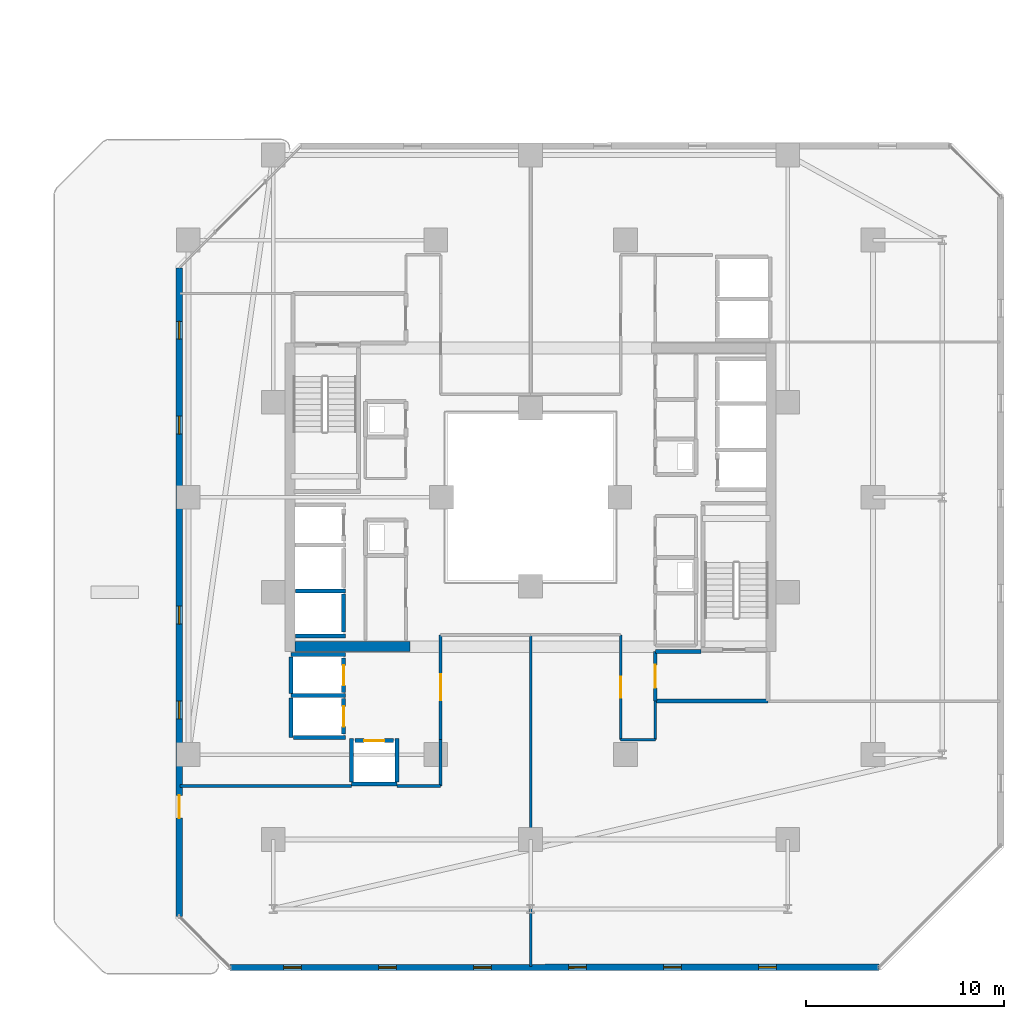
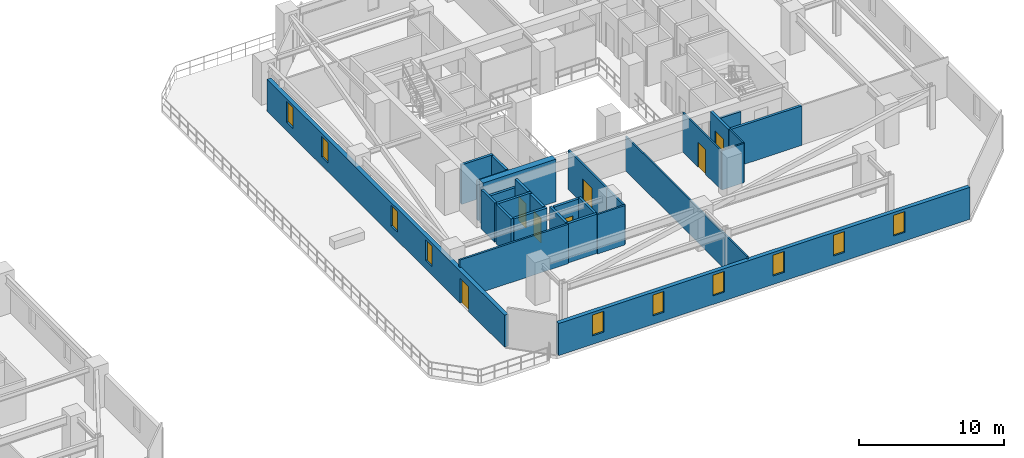
# One storey, part 22 of 31: 28 walls, 10 windows, 7 doors, 17 openings.
"""IFC4 building model written with IfcOpenShell, lengths in metres."""

import ifcopenshell
import ifcopenshell.guid

model = None  # the IFC model being written
_history = None  # IfcOwnerHistory: only IFC2X3 demands one
_inside = {}  # id of a spatial element -> (the spatial element, [elements in it])
_under = {}  # id of a project, library or spatial element -> (it, [spatial elements below it])
_declared = {}  # id of a project -> (the project, [libraries it declares])
_typed = {}  # id of a type object -> (the type object, [elements of that type])
_made_of = {}  # id of a material, layer set ... -> (it, [elements and type objects made of it])


def new_model(schema):
    """Start an empty IFC model of exactly this schema.

    Asked for "IFC4X3", IfcOpenShell would pick the latest addendum, in which some entities
    have other attributes; the version numbers below select the first issue.
    IFC2X3 requires an IfcOwnerHistory on every rooted entity: one is made here for all.
    """
    global model, _history
    if schema == "IFC4X3":
        model = ifcopenshell.file(schema_version=(4, 3, 0, 0))
    else:
        model = ifcopenshell.file(schema=schema)
    _inside.clear()
    _under.clear()
    _declared.clear()
    _typed.clear()
    _made_of.clear()
    _history = None
    if model.schema == "IFC2X3":
        org = make("IfcOrganization", Name="unknown")
        user = make(
            "IfcPersonAndOrganization",
            ThePerson=make("IfcPerson", FamilyName="unknown"),
            TheOrganization=org,
        )
        app = make(
            "IfcApplication",
            ApplicationDeveloper=org,
            Version="unknown",
            ApplicationFullName="unknown",
            ApplicationIdentifier="unknown",
        )
        _history = make(
            "IfcOwnerHistory",
            OwningUser=user,
            OwningApplication=app,
            ChangeAction="ADDED",
            CreationDate=0,
        )
    return model


def make(cls, **values):
    """One entity of the class cls with the attributes given. An attribute that is None is left unset."""
    return model.create_entity(
        cls, **{name: value for name, value in values.items() if value is not None}
    )


def rooted(cls, **values):
    """An entity with a GlobalId (a new one), such as an element, a storey or a relation."""
    return make(cls, GlobalId=ifcopenshell.guid.new(), OwnerHistory=_history, **values)


def si_unit(unit_type, name, prefix=None):
    """IfcSIUnit, for example si_unit("LENGTHUNIT", "METRE", prefix="MILLI")."""
    return make("IfcSIUnit", UnitType=unit_type, Prefix=prefix, Name=name)


def assignment(units):
    """IfcUnitAssignment: the units of a project."""
    return None if units is None else make("IfcUnitAssignment", Units=units)


def point(xyz):
    """IfcCartesianPoint."""
    return None if xyz is None else make("IfcCartesianPoint", Coordinates=xyz)


def direction(xyz):
    """IfcDirection."""
    return None if xyz is None else make("IfcDirection", DirectionRatios=xyz)


def frame(location, z_axis=None, x_axis=None):
    """IfcAxis2Placement3D, a coordinate frame: its origin and axes. An axis left out is left unset."""
    return make(
        "IfcAxis2Placement3D",
        Location=point(location),
        Axis=direction(z_axis),
        RefDirection=direction(x_axis),
    )


def frame_2d(location, x_axis=None):
    """IfcAxis2Placement2D, a coordinate frame in the plane: its origin and x axis."""
    return make(
        "IfcAxis2Placement2D", Location=point(location), RefDirection=direction(x_axis)
    )


def origin():
    """The frame at (0, 0, 0) with its axes left unset."""
    return frame((0.0, 0.0, 0.0))


def place(relative_to, where):
    """IfcLocalPlacement: puts the frame where relative to a parent placement (None: the world)."""
    return make(
        "IfcLocalPlacement", PlacementRelTo=relative_to, RelativePlacement=where
    )


def context(
    kind, dimensions, precision=None, world=None, true_north=None, identifier=None
):
    """IfcGeometricRepresentationContext, for example the 3D "Model" context."""
    return make(
        "IfcGeometricRepresentationContext",
        ContextIdentifier=identifier,
        ContextType=kind,
        CoordinateSpaceDimension=dimensions,
        Precision=precision,
        WorldCoordinateSystem=world,
        TrueNorth=true_north,
    )


def subcontext(parent, identifier, kind, view, scale=None):
    """IfcGeometricRepresentationSubContext, for example "Body" below "Model"."""
    return make(
        "IfcGeometricRepresentationSubContext",
        ContextIdentifier=identifier,
        ContextType=kind,
        ParentContext=parent,
        TargetScale=scale,
        TargetView=view,
    )


def project(units=None, contexts=None):
    """IfcProject with its units and contexts."""
    return rooted(
        "IfcProject",
        Name="project",
        RepresentationContexts=contexts,
        UnitsInContext=assignment(units),
    )


def spatial(cls, under=None, at=None, **own):
    """A site, building, storey or space (cls), placed at a placement, below another one or the project."""
    s = rooted(cls, ObjectPlacement=at, **own)
    if under is not None:
        _under.setdefault(under.id(), (under, []))[1].append(s)
    return s


def profile(cls, at=None, kind="AREA", **sizes):
    """A parametric profile (cls). Its sizes go by their IFC names, for example OverallWidth=200.0."""
    return make(cls, ProfileType=kind, Position=at, **sizes)


def rectangle(**sizes):
    """IfcRectangleProfileDef."""
    return profile("IfcRectangleProfileDef", **sizes)


def extrude(swept, where, along, depth):
    """IfcExtrudedAreaSolid: the profile swept, set in the frame where, extruded along a direction by depth."""
    return make(
        "IfcExtrudedAreaSolid",
        SweptArea=swept,
        Position=where,
        ExtrudedDirection=direction(along),
        Depth=depth,
    )


def shape(context_of_items, identifier, shape_type, items):
    """IfcShapeRepresentation: the items that make up one representation, for example the "Body"."""
    return make(
        "IfcShapeRepresentation",
        ContextOfItems=context_of_items,
        RepresentationIdentifier=identifier,
        RepresentationType=shape_type,
        Items=items,
    )


def material(Name=None, Category=None):
    """IfcMaterial."""
    return make("IfcMaterial", Name=Name, Category=Category)


def layer(
    of_material, thickness, ventilated=None, Name=None, Category=None, Priority=None
):
    """IfcMaterialLayer: one layer of a wall or slab, of a material (None: an air gap)."""
    return make(
        "IfcMaterialLayer",
        Material=of_material,
        LayerThickness=thickness,
        IsVentilated=ventilated,
        Name=Name,
        Category=Category,
        Priority=Priority,
    )


def layer_set(layers, Name=None):
    """IfcMaterialLayerSet."""
    return make("IfcMaterialLayerSet", MaterialLayers=layers, LayerSetName=Name)


def made_of(thing, what):
    """Note that an element or type object is made of a material, layer set ...; save() writes the relation."""
    if what is not None:
        _made_of.setdefault(what.id(), (what, []))[1].append(thing)
    return thing


def type_object(cls, material=None, **own):
    """A type object (cls), such as IfcWallType, which elements share."""
    return made_of(rooted(cls, **own), material)


def element(
    cls,
    number,
    at=None,
    inside=None,
    cuts=None,
    type_object=None,
    material=None,
    context=None,
    identifier="Body",
    shape_type=None,
    held_by="IfcProductDefinitionShape",
    body=None,
    shapes=None,
    **own,
):
    """One element of the class cls, such as IfcWall. Its Tag is "e" and its number.

    at: its placement. inside: the storey or other place that contains it. cuts: it is an
    opening in that element (IfcRelVoidsElement). A single representation is given by context,
    identifier, shape_type and body (its items); several are given by shapes. held_by: the class
    of the entity that holds the representations. save() writes the other relations.
    """
    e = rooted(cls, Tag="e%d" % number, ObjectPlacement=at, **own)
    if body is not None:
        shapes = [shape(context, identifier, shape_type, body)]
    if shapes is not None:
        e.Representation = make(held_by, Representations=shapes)
    if inside is not None:
        _inside.setdefault(inside.id(), (inside, []))[1].append(e)
    if cuts is not None:
        rooted(
            "IfcRelVoidsElement", RelatingBuildingElement=cuts, RelatedOpeningElement=e
        )
    if type_object is not None:
        _typed.setdefault(type_object.id(), (type_object, []))[1].append(e)
    return made_of(e, material)


def fill(opening, filler):
    """IfcRelFillsElement: the door or window that sits in an opening."""
    return rooted(
        "IfcRelFillsElement",
        RelatingOpeningElement=opening,
        RelatedBuildingElement=filler,
    )


def aggregate(whole, parts):
    """IfcRelAggregates: a whole, such as a stair, and the parts it consists of."""
    return rooted("IfcRelAggregates", RelatingObject=whole, RelatedObjects=parts)


def save(model, path):
    """Write the relations noted so far, then the file.

    IfcRelAggregates (storeys below a building ...), IfcRelContainedInSpatialStructure (elements
    in a storey), IfcRelDefinesByType, IfcRelAssociatesMaterial and IfcRelDeclares: one each for
    every whole, place, type object, material and project.
    """
    for whole, parts in _under.values():
        aggregate(whole, parts)
    for where, things in _inside.values():
        rooted(
            "IfcRelContainedInSpatialStructure",
            RelatedElements=things,
            RelatingStructure=where,
        )
    for kind, things in _typed.values():
        rooted("IfcRelDefinesByType", RelatedObjects=things, RelatingType=kind)
    for what, things in _made_of.values():
        rooted("IfcRelAssociatesMaterial", RelatedObjects=things, RelatingMaterial=what)
    for by, libraries in _declared.values():
        rooted("IfcRelDeclares", RelatingContext=by, RelatedDefinitions=libraries)
    model.write(path)


model = new_model("IFC4")

# Units and contexts
model_context = context("Model", 3, precision=1e-05, world=origin(), true_north=direction((0.0, 1.0)))
body_context = subcontext(model_context, "Body", "Model", "MODEL_VIEW")
ifc_project = project(units=[si_unit("LENGTHUNIT", "METRE"), si_unit("AREAUNIT", "SQUARE_METRE"), si_unit("VOLUMEUNIT", "CUBIC_METRE"), si_unit("PLANEANGLEUNIT", "RADIAN"), si_unit("MASSUNIT", "GRAM", prefix="KILO")], contexts=[model_context])

# Site, building, storey
site_placement = place(None, origin())
site = spatial("IfcSite", under=ifc_project, at=site_placement, CompositionType="ELEMENT")
building_placement = place(site_placement, origin())
building = spatial("IfcBuilding", under=site, at=building_placement, Name="Thornwick Lancets Civic Towers", CompositionType="ELEMENT")
storey_placement = place(building_placement, frame((0.0, 0.0, 119.699951171875)))
storey = spatial("IfcBuildingStorey", under=building, at=storey_placement, Name="L31", CompositionType="ELEMENT", Elevation=119.699951171875)

# Wall
ifc_material_1 = material(Name="Concrete blockwork C40/50", Category="masonry")
ifc_layer_1 = layer(ifc_material_1, 0.199951171875, Name="Concrete blockwork C40/50")
ifc_layer_set_1 = layer_set([ifc_layer_1], Name="Concrete blockwork C40/50")
wall_type_1 = type_object("IfcWallType", Name="WALL_COMP_200", PredefinedType="STANDARD", material=ifc_layer_set_1)
wall_1_placement = place(storey_placement, frame((79.050048828125, 20.179931640625, 0.0), z_axis=(0.0, 0.0, 1.0), x_axis=(0.0, 1.0, 0.0)))
element("IfcWall", 1, at=wall_1_placement, inside=storey, type_object=wall_type_1, Name="L31 Hoistway Front Wall PL-BH3", PredefinedType="STANDARD", context=body_context, shape_type="SweptSolid", body=[
    extrude(rectangle(XDim=1.940185546875, YDim=0.199951171875, at=frame_2d((0.97021484375, 0.0))), origin(), (0.0, 0.0, 1.0), 3.320068359375),
])

# Wall, opening, door
wall_2_placement = place(storey_placement, frame((79.050048828125, 17.1298828125, 0.0), z_axis=(0.0, 0.0, 1.0), x_axis=(0.0, 1.0, 0.0)))
wall_2 = element("IfcWall", 2, at=wall_2_placement, inside=storey, type_object=wall_type_1, Name="L31 Hoistway Front Wall PL-BM1", PredefinedType="STANDARD", context=body_context, shape_type="SweptSolid", body=[
    extrude(rectangle(XDim=1.740234375, YDim=0.199951171875, at=frame_2d((0.8701171875, 0.0))), origin(), (0.0, 0.0, 1.0), 3.320068359375),
])
opening_1_placement = place(wall_2_placement, frame((0.360107421875, 0.0, 0.0)))
opening_1 = element("IfcOpeningElement", 3, at=opening_1_placement, cuts=wall_2, Name="Opening LD-PL-BM1", PredefinedType="OPENING", context=body_context, shape_type="SweptSolid", body=[
    extrude(rectangle(XDim=1.02001953125, YDim=2.06005859375, at=frame_2d((0.510009765625, 1.030029296875))), frame((0.0, 0.10986328125, 0.0), z_axis=(0.0, -1.0, 0.0), x_axis=(1.0, 0.0, 0.0)), (0.0, 0.0, 1.0), 0.219970703125),
])
ifc_material_2 = material(Name="Brushed bronze stainless steel", Category="steel")
door_type_1 = type_object("IfcDoorType", Name="DOOR_LIFT_SLIDE", OperationType="SLIDING_TO_LEFT", PredefinedType="DOOR", material=ifc_material_2)
door_1_placement = place(opening_1_placement, origin())
door_1 = element("IfcDoor", 4, at=door_1_placement, inside=storey, type_object=door_type_1, Name="L31 Sliding Lift Landing Door LD-PL-BM1", OperationType="SLIDING_TO_LEFT", OverallHeight=2.06005859375, OverallWidth=1.02001953125, PredefinedType="DOOR", context=body_context, shape_type="SweptSolid", body=[
    extrude(rectangle(XDim=1.02001953125, YDim=2.06005859375, at=frame_2d((0.510009765625, 1.030029296875))), frame((0.0, 0.02490234375, 0.0), z_axis=(0.0, -1.0, 0.0), x_axis=(1.0, 0.0, 0.0)), (0.0, 0.0, 1.0), 0.050048828125),
])
fill(opening_1, door_1)

wall_3_placement = place(storey_placement, frame((79.050048828125, 15.030029296875, 0.0), z_axis=(0.0, 0.0, 1.0), x_axis=(0.0, 1.0, 0.0)))
wall_3 = element("IfcWall", 5, at=wall_3_placement, inside=storey, type_object=wall_type_1, Name="L31 Hoistway Front Wall PL-BM2", PredefinedType="STANDARD", context=body_context, shape_type="SweptSolid", body=[
    extrude(rectangle(XDim=1.7900390625, YDim=0.199951171875, at=frame_2d((0.89501953125, 0.0))), origin(), (0.0, 0.0, 1.0), 3.320068359375),
])
opening_2_placement = place(wall_3_placement, frame((0.385009765625, 0.0, 0.0)))
opening_2 = element("IfcOpeningElement", 6, at=opening_2_placement, cuts=wall_3, Name="Opening LD-PL-BM2", PredefinedType="OPENING", context=body_context, shape_type="SweptSolid", body=[
    extrude(rectangle(XDim=1.02001953125, YDim=2.06005859375, at=frame_2d((0.510009765625, 1.030029296875))), frame((0.0, 0.10986328125, 0.0), z_axis=(0.0, -1.0, 0.0), x_axis=(1.0, 0.0, 0.0)), (0.0, 0.0, 1.0), 0.219970703125),
])
door_2_placement = place(opening_2_placement, origin())
door_2 = element("IfcDoor", 7, at=door_2_placement, inside=storey, type_object=door_type_1, Name="L31 Sliding Lift Landing Door LD-PL-BM2", OperationType="SLIDING_TO_LEFT", OverallHeight=2.06005859375, OverallWidth=1.02001953125, PredefinedType="DOOR", context=body_context, shape_type="SweptSolid", body=[
    extrude(rectangle(XDim=1.02001953125, YDim=2.06005859375, at=frame_2d((0.510009765625, 1.030029296875))), frame((0.0, 0.02490234375, 0.0), z_axis=(0.0, -1.0, 0.0), x_axis=(1.0, 0.0, 0.0)), (0.0, 0.0, 1.0), 0.050048828125),
])
fill(opening_2, door_2)

wall_4_placement = place(storey_placement, frame((79.6298828125, 14.699951171875, 0.0), z_axis=(0.0, 0.0, 1.0), x_axis=(1.0, 0.0, 0.0)))
wall_4 = element("IfcWall", 8, at=wall_4_placement, inside=storey, type_object=wall_type_1, Name="L31 Hoistway Front Wall PL-BM3", PredefinedType="STANDARD", context=body_context, shape_type="SweptSolid", body=[
    extrude(rectangle(XDim=1.940185546875, YDim=0.199951171875, at=frame_2d((0.97021484375, 0.0))), origin(), (0.0, 0.0, 1.0), 3.320068359375),
])
opening_3_placement = place(wall_4_placement, frame((0.4599609375, 0.0, 0.0)))
opening_3 = element("IfcOpeningElement", 9, at=opening_3_placement, cuts=wall_4, Name="Opening LD-PL-BM3", PredefinedType="OPENING", context=body_context, shape_type="SweptSolid", body=[
    extrude(rectangle(XDim=1.02001953125, YDim=2.06005859375, at=frame_2d((0.510009765625, 1.030029296875))), frame((0.0, 0.10986328125, 0.0), z_axis=(0.0, -1.0, 0.0), x_axis=(1.0, 0.0, 0.0)), (0.0, 0.0, 1.0), 0.219970703125),
])
door_3_placement = place(opening_3_placement, origin())
door_3 = element("IfcDoor", 10, at=door_3_placement, inside=storey, type_object=door_type_1, Name="L31 Sliding Lift Landing Door LD-PL-BM3", OperationType="SLIDING_TO_LEFT", OverallHeight=2.06005859375, OverallWidth=1.02001953125, PredefinedType="DOOR", context=body_context, shape_type="SweptSolid", body=[
    extrude(rectangle(XDim=1.02001953125, YDim=2.06005859375, at=frame_2d((0.510009765625, 1.030029296875))), frame((0.0, 0.02490234375, 0.0), z_axis=(0.0, -1.0, 0.0), x_axis=(1.0, 0.0, 0.0)), (0.0, 0.0, 1.0), 0.050048828125),
])
fill(opening_3, door_3)

# Walls
for number, where, z_axis, x_axis, name in (
    (11, (76.612060546875, 22.27490234375, 0.0), (0.0, 0.0, 1.0), (1.0, 0.0, 0.0), "L31 Hoistway Shaft Wall PL-BH2 S"),
    (12, (76.612060546875, 20.0, 0.0), (0.0, 0.0, 1.0), (1.0, 0.0, 0.0), "L31 Hoistway Shaft Wall PL-BH3 S"),
):
    element("IfcWall", number, at=place(storey_placement, frame(where, z_axis=z_axis, x_axis=x_axis)), inside=storey, type_object=wall_type_1, Name=name, PredefinedType="STANDARD", context=body_context, shape_type="SweptSolid", body=[
        extrude(rectangle(XDim=2.535888671875, YDim=0.199951171875, at=frame_2d((1.26806640625, 0.0))), origin(), (0.0, 0.0, 1.0), 3.320068359375),
    ])
wall_5_placement = place(storey_placement, frame((76.402099609375, 19.050048828125, 0.0), z_axis=(0.0, 0.0, 1.0), x_axis=(1.0, 0.0, 0.0)))
element("IfcWall", 13, at=wall_5_placement, inside=storey, type_object=wall_type_1, Name="L31 Hoistway Shaft Wall PL-BM1 N", PredefinedType="STANDARD", context=body_context, shape_type="SweptSolid", body=[
    extrude(rectangle(XDim=2.745849609375, YDim=0.199951171875, at=frame_2d((1.373046875, 0.0))), origin(), (0.0, 0.0, 1.0), 2.525146484375),
])
wall_6_placement = place(storey_placement, frame((76.402099609375, 16.97509765625, 0.0), z_axis=(0.0, 0.0, 1.0), x_axis=(1.0, 0.0, 0.0)))
element("IfcWall", 14, at=wall_6_placement, inside=storey, type_object=wall_type_1, Name="L31 Hoistway Shaft Wall PL-BM1 S", PredefinedType="STANDARD", context=body_context, shape_type="SweptSolid", body=[
    extrude(rectangle(XDim=2.745849609375, YDim=0.199951171875, at=frame_2d((1.373046875, 0.0))), origin(), (0.0, 0.0, 1.0), 3.320068359375),
])
wall_7_placement = place(storey_placement, frame((76.39990234375, 14.85205078125, 0.0), z_axis=(0.0, 0.0, 1.0), x_axis=(0.0, 1.0, 0.0)))
element("IfcWall", 15, at=wall_7_placement, inside=storey, type_object=wall_type_1, Name="L31 Hoistway Shaft Wall PL-BM1 W", PredefinedType="STANDARD", context=body_context, shape_type="SweptSolid", body=[
    extrude(rectangle(XDim=2.015869140625, YDim=0.199951171875, at=frame_2d((1.0078125, 0.0))), origin(), (0.0, 0.0, 1.0), 3.320068359375),
])
wall_8_placement = place(storey_placement, frame((76.39990234375, 17.08203125, 0.0), z_axis=(0.0, 0.0, 1.0), x_axis=(0.0, 1.0, 0.0)))
element("IfcWall", 16, at=wall_8_placement, inside=storey, type_object=wall_type_1, Name="L31 Hoistway Shaft Wall PL-BM1 W", PredefinedType="STANDARD", context=body_context, shape_type="SweptSolid", body=[
    extrude(rectangle(XDim=1.85595703125, YDim=0.199951171875, at=frame_2d((0.927978515625, 0.0))), origin(), (0.0, 0.0, 1.0), 3.320068359375),
])
wall_9_placement = place(storey_placement, frame((76.511962890625, 14.85009765625, 0.0), z_axis=(0.0, 0.0, 1.0), x_axis=(1.0, 0.0, 0.0)))
element("IfcWall", 17, at=wall_9_placement, inside=storey, type_object=wall_type_1, Name="L31 Hoistway Shaft Wall PL-BM2 S", PredefinedType="STANDARD", context=body_context, shape_type="SweptSolid", body=[
    extrude(rectangle(XDim=2.635986328125, YDim=0.199951171875, at=frame_2d((1.31787109375, 0.0))), origin(), (0.0, 0.0, 1.0), 3.320068359375),
])
wall_10_placement = place(storey_placement, frame((79.451904296875, 12.5, 0.0), z_axis=(0.0, 0.0, 1.0), x_axis=(1.0, 0.0, 0.0)))
element("IfcWall", 18, at=wall_10_placement, inside=storey, type_object=wall_type_1, Name="L31 Hoistway Shaft Wall PL-BM3 S", PredefinedType="STANDARD", context=body_context, shape_type="SweptSolid", body=[
    extrude(rectangle(XDim=2.296142578125, YDim=0.199951171875, at=frame_2d((1.14794921875, 0.0))), origin(), (0.0, 0.0, 1.0), 3.320068359375),
])
for number, where, z_axis, x_axis, name in (
    (19, (81.75, 12.612060546875, 0.0), (0.0, 0.0, 1.0), (0.0, 1.0, 0.0), "L31 Hoistway Shaft Wall PL-BM3 E"),
    (20, (79.449951171875, 12.612060546875, 0.0), (0.0, 0.0, 1.0), (0.0, 1.0, 0.0), "L31 Hoistway Shaft Wall PL-BM3 W"),
):
    element("IfcWall", number, at=place(storey_placement, frame(where, z_axis=z_axis, x_axis=x_axis)), inside=storey, type_object=wall_type_1, Name=name, PredefinedType="STANDARD", context=body_context, shape_type="SweptSolid", body=[
        extrude(rectangle(XDim=2.18603515625, YDim=0.199951171875, at=frame_2d((1.093017578125, 0.0))), origin(), (0.0, 0.0, 1.0), 3.320068359375),
    ])
wall_11_placement = place(storey_placement, frame((94.800048828125, 16.699951171875, 0.0), z_axis=(0.0, 0.0, 1.0), x_axis=(1.0, 0.0, 0.0)))
element("IfcWall", 21, at=wall_11_placement, inside=storey, type_object=wall_type_1, Name="L31 Partition L31-B-FFLOB1 E1", PredefinedType="STANDARD", context=body_context, shape_type="SweptSolid", body=[
    extrude(rectangle(XDim=5.699951171875, YDim=0.199951171875, at=frame_2d((2.85009765625, 0.0))), origin(), (0.0, 0.0, 1.0), 3.320068359375),
])
wall_12_placement = place(storey_placement, frame((97.10009765625, 19.199951171875, 0.0), z_axis=(0.0, 0.0, 1.0), x_axis=(-1.0, 0.0, 0.0)))
element("IfcWall", 22, at=wall_12_placement, inside=storey, type_object=wall_type_1, Name="L31 Partition L31-B-FFLOB1 E3", PredefinedType="STANDARD", context=body_context, shape_type="SweptSolid", body=[
    extrude(rectangle(XDim=2.300048828125, YDim=0.199951171875, at=frame_2d((1.14990234375, 0.0))), origin(), (0.0, 0.0, 1.0), 2.525146484375),
])

# Wall, opening, door
wall_13_placement = place(storey_placement, frame((94.800048828125, 19.199951171875, 0.0), z_axis=(0.0, 0.0, 1.0), x_axis=(0.0, -1.0, 0.0)))
wall_13 = element("IfcWall", 23, at=wall_13_placement, inside=storey, type_object=wall_type_1, Name="L31 Partition L31-B-FFLOB1 E4", PredefinedType="STANDARD", context=body_context, shape_type="SweptSolid", body=[
    extrude(rectangle(XDim=2.5, YDim=0.199951171875, at=frame_2d((1.25, 0.0))), origin(), (0.0, 0.0, 1.0), 3.320068359375),
])
opening_4_placement = place(wall_13_placement, frame((0.675048828125, 0.0, 0.0)))
opening_4 = element("IfcOpeningElement", 24, at=opening_4_placement, cuts=wall_13, Name="Opening D-L31-1431", PredefinedType="OPENING", context=body_context, shape_type="SweptSolid", body=[
    extrude(rectangle(XDim=1.14990234375, YDim=2.10009765625, at=frame_2d((0.574951171875, 1.050048828125))), frame((0.0, 0.10986328125, 0.0), z_axis=(0.0, -1.0, 0.0), x_axis=(1.0, 0.0, 0.0)), (0.0, 0.0, 1.0), 0.219970703125),
])
ifc_material_3 = material(Name="Glazed fire-resisting steel", Category="steel")
door_type_2 = type_object("IfcDoorType", Name="DOOR_LOBBY_FD60", OperationType="NOTDEFINED", PredefinedType="DOOR", material=ifc_material_3)
door_4_placement = place(opening_4_placement, origin())
door_4 = element("IfcDoor", 25, at=door_4_placement, inside=storey, type_object=door_type_2, Name="L31 East Firefighting Lobby 1 Door", OperationType="SINGLE_SWING_RIGHT", OverallHeight=2.10009765625, OverallWidth=1.14990234375, PredefinedType="DOOR", context=body_context, shape_type="SweptSolid", body=[
    extrude(rectangle(XDim=1.14990234375, YDim=2.10009765625, at=frame_2d((0.574951171875, 1.050048828125))), frame((0.0, 0.02490234375, 0.0), z_axis=(0.0, -1.0, 0.0), x_axis=(1.0, 0.0, 0.0)), (0.0, 0.0, 1.0), 0.050048828125),
])
fill(opening_4, door_4)

# Wall
ifc_material_4 = material(Name="Concrete C50/60", Category="concrete")
ifc_layer_2 = layer(ifc_material_4, 0.5, Name="Concrete C50/60")
ifc_layer_set_2 = layer_set([ifc_layer_2], Name="Concrete C50/60")
wall_type_2 = type_object("IfcWallType", Name="WALL_CORE_500", PredefinedType="SHEAR", material=ifc_layer_set_2)
wall_14_placement = place(storey_placement, frame((76.60009765625, 19.449951171875, 0.0), z_axis=(0.0, 0.0, 1.0), x_axis=(1.0, 0.0, 0.0)))
element("IfcWall", 26, at=wall_14_placement, inside=storey, type_object=wall_type_2, Name="L31 Split Core B2 Shear Wall S", PredefinedType="SHEAR", context=body_context, shape_type="SweptSolid", body=[
    extrude(rectangle(XDim=5.7998046875, YDim=0.5, at=frame_2d((2.89990234375, 0.0))), origin(), (0.0, 0.0, 1.0), 3.60009765625),
])

# Wall, openings, windows
ifc_material_5 = material(Name="Insulated buff terracotta rainscreen on concrete C40/50", Category="masonry")
ifc_layer_3 = layer(ifc_material_5, 0.320068359375, Name="Insulated buff terracotta rainscreen on concrete C40/50")
ifc_layer_set_3 = layer_set([ifc_layer_3], Name="Insulated buff terracotta rainscreen on concrete C40/50")
wall_type_3 = type_object("IfcWallType", Name="WALL_EXT_TERRA_320", PredefinedType="STANDARD", material=ifc_layer_set_3)
wall_15_placement = place(storey_placement, frame((73.318603515625, 3.2353515625, 0.0), z_axis=(0.0, 0.0, 1.0), x_axis=(0.999999933399, 0.000364968916, 0.0)))
wall_15 = element("IfcWall", 27, at=wall_15_placement, inside=storey, type_object=wall_type_3, Name="L31 Tower B Terracotta Facade Wall E0", PredefinedType="STANDARD", context=body_context, shape_type="SweptSolid", body=[
    extrude(rectangle(XDim=32.77783203125, YDim=0.320068359375, at=frame_2d((16.388916015625, 0.0))), origin(), (0.0, 0.0, 1.0), 2.699951171875),
])
opening_5_placement = place(wall_15_placement, frame((2.699951171875, 0.0, 0.719970703125)))
opening_5 = element("IfcOpeningElement", 28, at=opening_5_placement, cuts=wall_15, Name="Opening WL-01", PredefinedType="OPENING", context=body_context, shape_type="SweptSolid", body=[
    extrude(rectangle(XDim=0.89990234375, YDim=1.75, at=frame_2d((0.449951171875, 0.875))), frame((0.0, 0.169921875, 0.0), z_axis=(0.0, -1.0, 0.0), x_axis=(1.0, 0.0, 0.0)), (0.0, 0.0, 1.0), 0.340087890625),
])
opening_6_placement = place(wall_15_placement, frame((7.5, 0.0, 0.719970703125)))
opening_6 = element("IfcOpeningElement", 29, at=opening_6_placement, cuts=wall_15, Name="Opening WL-01", PredefinedType="OPENING", context=body_context, shape_type="SweptSolid", body=[
    extrude(rectangle(XDim=0.89990234375, YDim=1.75, at=frame_2d((0.449951171875, 0.875))), frame((0.0, 0.169921875, 0.0), z_axis=(0.0, -1.0, 0.0), x_axis=(1.0, 0.0, 0.0)), (0.0, 0.0, 1.0), 0.340087890625),
])
opening_7_placement = place(wall_15_placement, frame((12.300048828125, 0.0, 0.719970703125)))
opening_7 = element("IfcOpeningElement", 30, at=opening_7_placement, cuts=wall_15, Name="Opening WL-01", PredefinedType="OPENING", context=body_context, shape_type="SweptSolid", body=[
    extrude(rectangle(XDim=0.89990234375, YDim=1.75, at=frame_2d((0.449951171875, 0.875))), frame((0.0, 0.169921875, 0.0), z_axis=(0.0, -1.0, 0.0), x_axis=(1.0, 0.0, 0.0)), (0.0, 0.0, 1.0), 0.340087890625),
])
opening_8_placement = place(wall_15_placement, frame((17.10009765625, 0.0, 0.719970703125)))
opening_8 = element("IfcOpeningElement", 31, at=opening_8_placement, cuts=wall_15, Name="Opening WL-01", PredefinedType="OPENING", context=body_context, shape_type="SweptSolid", body=[
    extrude(rectangle(XDim=0.89990234375, YDim=1.75, at=frame_2d((0.449951171875, 0.875))), frame((0.0, 0.169921875, 0.0), z_axis=(0.0, -1.0, 0.0), x_axis=(1.0, 0.0, 0.0)), (0.0, 0.0, 1.0), 0.340087890625),
])
opening_9_placement = place(wall_15_placement, frame((21.89990234375, 0.0, 0.719970703125)))
opening_9 = element("IfcOpeningElement", 32, at=opening_9_placement, cuts=wall_15, Name="Opening WL-01", PredefinedType="OPENING", context=body_context, shape_type="SweptSolid", body=[
    extrude(rectangle(XDim=0.89990234375, YDim=1.75, at=frame_2d((0.449951171875, 0.875))), frame((0.0, 0.169921875, 0.0), z_axis=(0.0, -1.0, 0.0), x_axis=(1.0, 0.0, 0.0)), (0.0, 0.0, 1.0), 0.340087890625),
])
opening_10_placement = place(wall_15_placement, frame((26.699951171875, 0.0, 0.719970703125)))
opening_10 = element("IfcOpeningElement", 33, at=opening_10_placement, cuts=wall_15, Name="Opening WL-01", PredefinedType="OPENING", context=body_context, shape_type="SweptSolid", body=[
    extrude(rectangle(XDim=0.89990234375, YDim=1.75, at=frame_2d((0.449951171875, 0.875))), frame((0.0, 0.169921875, 0.0), z_axis=(0.0, -1.0, 0.0), x_axis=(1.0, 0.0, 0.0)), (0.0, 0.0, 1.0), 0.340087890625),
])
ifc_material_6 = material(Name="Clear low-e double glazing in bronze frame", Category="glass")
window_type = type_object("IfcWindowType", Name="WIN_LANCET_900", PartitioningType="SINGLE_PANEL", PredefinedType="WINDOW", material=ifc_material_6)
window_1_placement = place(opening_5_placement, origin())
window_1 = element("IfcWindow", 34, at=window_1_placement, inside=storey, type_object=window_type, Name="L31 Tower B Staggered Lancet Window E0-1", OverallHeight=1.75, OverallWidth=0.89990234375, PartitioningType="SINGLE_PANEL", PredefinedType="WINDOW", context=body_context, shape_type="SweptSolid", body=[
    extrude(rectangle(XDim=0.89990234375, YDim=1.75, at=frame_2d((0.449951171875, 0.875))), frame((0.0, 0.030029296875, 0.0), z_axis=(0.0, -1.0, 0.0), x_axis=(1.0, 0.0, 0.0)), (0.0, 0.0, 1.0), 0.06005859375),
])
fill(opening_5, window_1)
window_2_placement = place(opening_6_placement, origin())
window_2 = element("IfcWindow", 35, at=window_2_placement, inside=storey, type_object=window_type, Name="L31 Tower B Staggered Lancet Window E0-2", OverallHeight=1.75, OverallWidth=0.89990234375, PartitioningType="SINGLE_PANEL", PredefinedType="WINDOW", context=body_context, shape_type="SweptSolid", body=[
    extrude(rectangle(XDim=0.89990234375, YDim=1.75, at=frame_2d((0.449951171875, 0.875))), frame((0.0, 0.030029296875, 0.0), z_axis=(0.0, -1.0, 0.0), x_axis=(1.0, 0.0, 0.0)), (0.0, 0.0, 1.0), 0.06005859375),
])
fill(opening_6, window_2)
window_3_placement = place(opening_7_placement, origin())
window_3 = element("IfcWindow", 36, at=window_3_placement, inside=storey, type_object=window_type, Name="L31 Tower B Staggered Lancet Window E0-3", OverallHeight=1.75, OverallWidth=0.89990234375, PartitioningType="SINGLE_PANEL", PredefinedType="WINDOW", context=body_context, shape_type="SweptSolid", body=[
    extrude(rectangle(XDim=0.89990234375, YDim=1.75, at=frame_2d((0.449951171875, 0.875))), frame((0.0, 0.030029296875, 0.0), z_axis=(0.0, -1.0, 0.0), x_axis=(1.0, 0.0, 0.0)), (0.0, 0.0, 1.0), 0.06005859375),
])
fill(opening_7, window_3)
window_4_placement = place(opening_8_placement, origin())
window_4 = element("IfcWindow", 37, at=window_4_placement, inside=storey, type_object=window_type, Name="L31 Tower B Staggered Lancet Window E0-4", OverallHeight=1.75, OverallWidth=0.89990234375, PartitioningType="SINGLE_PANEL", PredefinedType="WINDOW", context=body_context, shape_type="SweptSolid", body=[
    extrude(rectangle(XDim=0.89990234375, YDim=1.75, at=frame_2d((0.449951171875, 0.875))), frame((0.0, 0.030029296875, 0.0), z_axis=(0.0, -1.0, 0.0), x_axis=(1.0, 0.0, 0.0)), (0.0, 0.0, 1.0), 0.06005859375),
])
fill(opening_8, window_4)
window_5_placement = place(opening_9_placement, origin())
window_5 = element("IfcWindow", 38, at=window_5_placement, inside=storey, type_object=window_type, Name="L31 Tower B Staggered Lancet Window E0-5", OverallHeight=1.75, OverallWidth=0.89990234375, PartitioningType="SINGLE_PANEL", PredefinedType="WINDOW", context=body_context, shape_type="SweptSolid", body=[
    extrude(rectangle(XDim=0.89990234375, YDim=1.75, at=frame_2d((0.449951171875, 0.875))), frame((0.0, 0.030029296875, 0.0), z_axis=(0.0, -1.0, 0.0), x_axis=(1.0, 0.0, 0.0)), (0.0, 0.0, 1.0), 0.06005859375),
])
fill(opening_9, window_5)
window_6_placement = place(opening_10_placement, origin())
window_6 = element("IfcWindow", 39, at=window_6_placement, inside=storey, type_object=window_type, Name="L31 Tower B Staggered Lancet Window E0-6", OverallHeight=1.75, OverallWidth=0.89990234375, PartitioningType="SINGLE_PANEL", PredefinedType="WINDOW", context=body_context, shape_type="SweptSolid", body=[
    extrude(rectangle(XDim=0.89990234375, YDim=1.75, at=frame_2d((0.449951171875, 0.875))), frame((0.0, 0.030029296875, 0.0), z_axis=(0.0, -1.0, 0.0), x_axis=(1.0, 0.0, 0.0)), (0.0, 0.0, 1.0), 0.06005859375),
])
fill(opening_10, window_6)

# Wall, openings, door, windows
wall_16_placement = place(storey_placement, frame((70.747314453125, 38.596435546875, 0.0), z_axis=(0.0, 0.0, 1.0), x_axis=(-0.000364968916, -0.999999933399, 0.0)))
wall_16 = element("IfcWall", 40, at=wall_16_placement, inside=storey, type_object=wall_type_3, Name="L31 Tower B Terracotta Facade Wall E6", PredefinedType="STANDARD", context=body_context, shape_type="SweptSolid", body=[
    extrude(rectangle(XDim=32.77783203125, YDim=0.320068359375, at=frame_2d((16.388916015625, 0.0))), origin(), (0.0, 0.0, 1.0), 2.699951171875),
])
opening_11_placement = place(wall_16_placement, frame((26.663818359375, 0.0, 0.0)))
opening_11 = element("IfcOpeningElement", 41, at=opening_11_placement, cuts=wall_16, Name="Opening D-SG-L31-B6", PredefinedType="OPENING", context=body_context, shape_type="SweptSolid", body=[
    extrude(rectangle(XDim=1.14990234375, YDim=2.10009765625, at=frame_2d((0.574951171875, 1.050048828125))), frame((0.0, 0.169921875, 0.0), z_axis=(0.0, -1.0, 0.0), x_axis=(1.0, 0.0, 0.0)), (0.0, 0.0, 1.0), 0.340087890625),
])
opening_12_placement = place(wall_16_placement, frame((2.699951171875, 0.0, 0.719970703125)))
opening_12 = element("IfcOpeningElement", 42, at=opening_12_placement, cuts=wall_16, Name="Opening WL-01", PredefinedType="OPENING", context=body_context, shape_type="SweptSolid", body=[
    extrude(rectangle(XDim=0.89990234375, YDim=1.75, at=frame_2d((0.449951171875, 0.875))), frame((0.0, 0.169921875, 0.0), z_axis=(0.0, -1.0, 0.0), x_axis=(1.0, 0.0, 0.0)), (0.0, 0.0, 1.0), 0.340087890625),
])
opening_13_placement = place(wall_16_placement, frame((7.5, 0.0, 0.719970703125)))
opening_13 = element("IfcOpeningElement", 43, at=opening_13_placement, cuts=wall_16, Name="Opening WL-01", PredefinedType="OPENING", context=body_context, shape_type="SweptSolid", body=[
    extrude(rectangle(XDim=0.89990234375, YDim=1.75, at=frame_2d((0.449951171875, 0.875))), frame((0.0, 0.169921875, 0.0), z_axis=(0.0, -1.0, 0.0), x_axis=(1.0, 0.0, 0.0)), (0.0, 0.0, 1.0), 0.340087890625),
])
opening_14_placement = place(wall_16_placement, frame((17.10009765625, 0.0, 0.719970703125)))
opening_14 = element("IfcOpeningElement", 44, at=opening_14_placement, cuts=wall_16, Name="Opening WL-01", PredefinedType="OPENING", context=body_context, shape_type="SweptSolid", body=[
    extrude(rectangle(XDim=0.89990234375, YDim=1.75, at=frame_2d((0.449951171875, 0.875))), frame((0.0, 0.169921875, 0.0), z_axis=(0.0, -1.0, 0.0), x_axis=(1.0, 0.0, 0.0)), (0.0, 0.0, 1.0), 0.340087890625),
])
opening_15_placement = place(wall_16_placement, frame((21.89990234375, 0.0, 0.719970703125)))
opening_15 = element("IfcOpeningElement", 45, at=opening_15_placement, cuts=wall_16, Name="Opening WL-01", PredefinedType="OPENING", context=body_context, shape_type="SweptSolid", body=[
    extrude(rectangle(XDim=0.89990234375, YDim=1.75, at=frame_2d((0.449951171875, 0.875))), frame((0.0, 0.169921875, 0.0), z_axis=(0.0, -1.0, 0.0), x_axis=(1.0, 0.0, 0.0)), (0.0, 0.0, 1.0), 0.340087890625),
])
ifc_material_7 = material(Name="Thermally broken glazed terrace doorset")
door_type_3 = type_object("IfcDoorType", Name="DOOR_TERRACE_1200", OperationType="NOTDEFINED", PredefinedType="DOOR", material=ifc_material_7)
door_5_placement = place(opening_11_placement, origin())
door_5 = element("IfcDoor", 46, at=door_5_placement, inside=storey, type_object=door_type_3, Name="L31 Tower B Sky-Garden Terrace Door", OperationType="SINGLE_SWING_RIGHT", OverallHeight=2.10009765625, OverallWidth=1.14990234375, PredefinedType="DOOR", context=body_context, shape_type="SweptSolid", body=[
    extrude(rectangle(XDim=1.14990234375, YDim=2.10009765625, at=frame_2d((0.574951171875, 1.050048828125))), frame((0.0, 0.02490234375, 0.0), z_axis=(0.0, -1.0, 0.0), x_axis=(1.0, 0.0, 0.0)), (0.0, 0.0, 1.0), 0.050048828125),
])
fill(opening_11, door_5)
window_7_placement = place(opening_12_placement, origin())
window_7 = element("IfcWindow", 47, at=window_7_placement, inside=storey, type_object=window_type, Name="L31 Tower B Staggered Lancet Window E6-1", OverallHeight=1.75, OverallWidth=0.89990234375, PartitioningType="SINGLE_PANEL", PredefinedType="WINDOW", context=body_context, shape_type="SweptSolid", body=[
    extrude(rectangle(XDim=0.89990234375, YDim=1.75, at=frame_2d((0.449951171875, 0.875))), frame((0.0, 0.030029296875, 0.0), z_axis=(0.0, -1.0, 0.0), x_axis=(1.0, 0.0, 0.0)), (0.0, 0.0, 1.0), 0.06005859375),
])
fill(opening_12, window_7)
window_8_placement = place(opening_13_placement, origin())
window_8 = element("IfcWindow", 48, at=window_8_placement, inside=storey, type_object=window_type, Name="L31 Tower B Staggered Lancet Window E6-2", OverallHeight=1.75, OverallWidth=0.89990234375, PartitioningType="SINGLE_PANEL", PredefinedType="WINDOW", context=body_context, shape_type="SweptSolid", body=[
    extrude(rectangle(XDim=0.89990234375, YDim=1.75, at=frame_2d((0.449951171875, 0.875))), frame((0.0, 0.030029296875, 0.0), z_axis=(0.0, -1.0, 0.0), x_axis=(1.0, 0.0, 0.0)), (0.0, 0.0, 1.0), 0.06005859375),
])
fill(opening_13, window_8)
window_9_placement = place(opening_14_placement, origin())
window_9 = element("IfcWindow", 49, at=window_9_placement, inside=storey, type_object=window_type, Name="L31 Tower B Staggered Lancet Window E6-3", OverallHeight=1.75, OverallWidth=0.89990234375, PartitioningType="SINGLE_PANEL", PredefinedType="WINDOW", context=body_context, shape_type="SweptSolid", body=[
    extrude(rectangle(XDim=0.89990234375, YDim=1.75, at=frame_2d((0.449951171875, 0.875))), frame((0.0, 0.030029296875, 0.0), z_axis=(0.0, -1.0, 0.0), x_axis=(1.0, 0.0, 0.0)), (0.0, 0.0, 1.0), 0.06005859375),
])
fill(opening_14, window_9)
window_10_placement = place(opening_15_placement, origin())
window_10 = element("IfcWindow", 50, at=window_10_placement, inside=storey, type_object=window_type, Name="L31 Tower B Staggered Lancet Window E6-4", OverallHeight=1.75, OverallWidth=0.89990234375, PartitioningType="SINGLE_PANEL", PredefinedType="WINDOW", context=body_context, shape_type="SweptSolid", body=[
    extrude(rectangle(XDim=0.89990234375, YDim=1.75, at=frame_2d((0.449951171875, 0.875))), frame((0.0, 0.030029296875, 0.0), z_axis=(0.0, -1.0, 0.0), x_axis=(1.0, 0.0, 0.0)), (0.0, 0.0, 1.0), 0.06005859375),
])
fill(opening_15, window_10)

# Wall
ifc_material_8 = material(Name="Acoustic gypsum board partition")
ifc_layer_4 = layer(ifc_material_8, 0.1201171875, Name="Acoustic gypsum board partition")
ifc_layer_set_4 = layer_set([ifc_layer_4], Name="Acoustic gypsum board partition")
wall_type_4 = type_object("IfcWallType", Name="WALL_PART_120", PredefinedType="PARTITIONING", material=ifc_layer_set_4)
wall_17_placement = place(storey_placement, frame((88.5, 3.280029296875, 0.0), z_axis=(0.0, 0.0, 1.0), x_axis=(0.0, 1.0, 0.0)))
element("IfcWall", 51, at=wall_17_placement, inside=storey, type_object=wall_type_4, Name="L31 Partition L31-B-W1 E2", PredefinedType="PARTITIONING", context=body_context, shape_type="SweptSolid", body=[
    extrude(rectangle(XDim=16.77001953125, YDim=0.1201171875, at=frame_2d((8.385009765625, 0.0))), origin(), (0.0, 0.0, 1.0), 2.912353515625),
])

# Wall, opening, door
wall_18_placement = place(storey_placement, frame((93.050048828125, 20.050048828125, 0.0), z_axis=(0.0, 0.0, 1.0), x_axis=(0.0, -1.0, 0.0)))
wall_18 = element("IfcWall", 52, at=wall_18_placement, inside=storey, type_object=wall_type_4, Name="L31 Partition L31-B-W1 E4", PredefinedType="PARTITIONING", context=body_context, shape_type="SweptSolid", body=[
    extrude(rectangle(XDim=5.300048828125, YDim=0.1201171875, at=frame_2d((2.64990234375, 0.0))), origin(), (0.0, 0.0, 1.0), 3.320068359375),
])
opening_16_placement = place(wall_18_placement, frame((2.125, 0.0, 0.0)))
opening_16 = element("IfcOpeningElement", 53, at=opening_16_placement, cuts=wall_18, Name="Opening D-L31-1449", PredefinedType="OPENING", context=body_context, shape_type="SweptSolid", body=[
    extrude(rectangle(XDim=1.050048828125, YDim=2.10009765625, at=frame_2d((0.52490234375, 1.050048828125))), frame((0.0, 0.070068359375, 0.0), z_axis=(0.0, -1.0, 0.0), x_axis=(1.0, 0.0, 0.0)), (0.0, 0.0, 1.0), 0.14013671875),
])
ifc_material_9 = material(Name="Glazed European oak executive doorset")
door_type_4 = type_object("IfcDoorType", Name="DOOR_OFFICE_1050", OperationType="NOTDEFINED", PredefinedType="DOOR", material=ifc_material_9)
door_6_placement = place(opening_16_placement, origin())
door_6 = element("IfcDoor", 54, at=door_6_placement, inside=storey, type_object=door_type_4, Name="L31 Tower B Ministry Directorate Office W1 Door", OperationType="SINGLE_SWING_RIGHT", OverallHeight=2.10009765625, OverallWidth=1.050048828125, PredefinedType="DOOR", context=body_context, shape_type="SweptSolid", body=[
    extrude(rectangle(XDim=1.050048828125, YDim=2.10009765625, at=frame_2d((0.52490234375, 1.050048828125))), frame((0.0, 0.02490234375, 0.0), z_axis=(0.0, -1.0, 0.0), x_axis=(1.0, 0.0, 0.0)), (0.0, 0.0, 1.0), 0.050048828125),
])
fill(opening_16, door_6)

# Walls
wall_19_placement = place(storey_placement, frame((93.050048828125, 14.75, 0.0), z_axis=(0.0, 0.0, 1.0), x_axis=(1.0, 0.0, 0.0)))
element("IfcWall", 55, at=wall_19_placement, inside=storey, type_object=wall_type_4, Name="L31 Partition L31-B-W1 E5", PredefinedType="PARTITIONING", context=body_context, shape_type="SweptSolid", body=[
    extrude(rectangle(XDim=1.75, YDim=0.1201171875, at=frame_2d((0.875, 0.0))), origin(), (0.0, 0.0, 1.0), 3.320068359375),
])
wall_20_placement = place(storey_placement, frame((94.800048828125, 14.75, 0.0), z_axis=(0.0, 0.0, 1.0), x_axis=(0.0, 1.0, 0.0)))
element("IfcWall", 56, at=wall_20_placement, inside=storey, type_object=wall_type_4, Name="L31 Partition L31-B-W1 E6", PredefinedType="PARTITIONING", context=body_context, shape_type="SweptSolid", body=[
    extrude(rectangle(XDim=1.949951171875, YDim=0.1201171875, at=frame_2d((0.97509765625, 0.0))), origin(), (0.0, 0.0, 1.0), 3.320068359375),
])

# Wall, opening, door
ifc_material_10 = material(Name="Twin-stud acoustic gypsum board")
ifc_layer_5 = layer(ifc_material_10, 0.14990234375, Name="Twin-stud acoustic gypsum board")
ifc_layer_set_5 = layer_set([ifc_layer_5], Name="Twin-stud acoustic gypsum board")
wall_type_5 = type_object("IfcWallType", Name="WALL_PART_150", PredefinedType="PARTITIONING", material=ifc_layer_set_5)
wall_21_placement = place(storey_placement, frame((83.949951171875, 14.75, 0.0), z_axis=(0.0, 0.0, 1.0), x_axis=(0.0, 1.0, 0.0)))
wall_21 = element("IfcWall", 57, at=wall_21_placement, inside=storey, type_object=wall_type_5, Name="L31 Partition L31-B-W2 E1", PredefinedType="PARTITIONING", context=body_context, shape_type="SweptSolid", body=[
    extrude(rectangle(XDim=5.300048828125, YDim=0.14990234375, at=frame_2d((2.64990234375, 0.0))), origin(), (0.0, 0.0, 1.0), 3.320068359375),
])
opening_17_placement = place(wall_21_placement, frame((2.0, 0.0, 0.0)))
opening_17 = element("IfcOpeningElement", 58, at=opening_17_placement, cuts=wall_21, Name="Opening D-L31-1450", PredefinedType="OPENING", context=body_context, shape_type="SweptSolid", body=[
    extrude(rectangle(XDim=1.300048828125, YDim=2.1201171875, at=frame_2d((0.64990234375, 1.06005859375))), frame((0.0, 0.0849609375, 0.0), z_axis=(0.0, -1.0, 0.0), x_axis=(1.0, 0.0, 0.0)), (0.0, 0.0, 1.0), 0.169921875),
])
ifc_material_11 = material(Name="Acoustic oak leaf-and-a-half doorset")
door_type_5 = type_object("IfcDoorType", Name="DOOR_MEET_1300", OperationType="DOUBLE_DOOR_SINGLE_SWING", PredefinedType="DOOR", material=ifc_material_11)
door_7_placement = place(opening_17_placement, origin())
door_7 = element("IfcDoor", 59, at=door_7_placement, inside=storey, type_object=door_type_5, Name="L31 Tower B Policy Briefing Room W2 Door", OperationType="DOUBLE_DOOR_SINGLE_SWING", OverallHeight=2.1201171875, OverallWidth=1.300048828125, PredefinedType="DOOR", context=body_context, shape_type="SweptSolid", body=[
    extrude(rectangle(XDim=1.300048828125, YDim=2.1201171875, at=frame_2d((0.64990234375, 1.06005859375))), frame((0.0, 0.02490234375, 0.0), z_axis=(0.0, -1.0, 0.0), x_axis=(1.0, 0.0, 0.0)), (0.0, 0.0, 1.0), 0.050048828125),
])
fill(opening_17, door_7)

# Walls
wall_22_placement = place(storey_placement, frame((70.780029296875, 12.39990234375, 0.0), z_axis=(0.0, 0.0, 1.0), x_axis=(1.0, 0.0, 0.0)))
element("IfcWall", 60, at=wall_22_placement, inside=storey, type_object=wall_type_5, Name="L31 Partition L31-B-W2 E7", PredefinedType="PARTITIONING", context=body_context, shape_type="SweptSolid", body=[
    extrude(rectangle(XDim=8.671875, YDim=0.14990234375, at=frame_2d((4.3359375, 0.0))), origin(), (0.0, 0.0, 1.0), 3.320068359375),
])
wall_23_placement = place(storey_placement, frame((81.748046875, 12.39990234375, 0.0), z_axis=(0.0, 0.0, 1.0), x_axis=(1.0, 0.0, 0.0)))
element("IfcWall", 61, at=wall_23_placement, inside=storey, type_object=wall_type_5, Name="L31 Partition L31-B-W2 E7", PredefinedType="PARTITIONING", context=body_context, shape_type="SweptSolid", body=[
    extrude(rectangle(XDim=2.201904296875, YDim=0.14990234375, at=frame_2d((1.10107421875, 0.0))), origin(), (0.0, 0.0, 1.0), 3.320068359375),
])
wall_24_placement = place(storey_placement, frame((83.949951171875, 12.39990234375, 0.0), z_axis=(0.0, 0.0, 1.0), x_axis=(0.0, 1.0, 0.0)))
element("IfcWall", 62, at=wall_24_placement, inside=storey, type_object=wall_type_5, Name="L31 Partition L31-B-W2 E8", PredefinedType="PARTITIONING", context=body_context, shape_type="SweptSolid", body=[
    extrude(rectangle(XDim=2.35009765625, YDim=0.14990234375, at=frame_2d((1.175048828125, 0.0))), origin(), (0.0, 0.0, 1.0), 3.320068359375),
])

save(model, "model.ifc")
